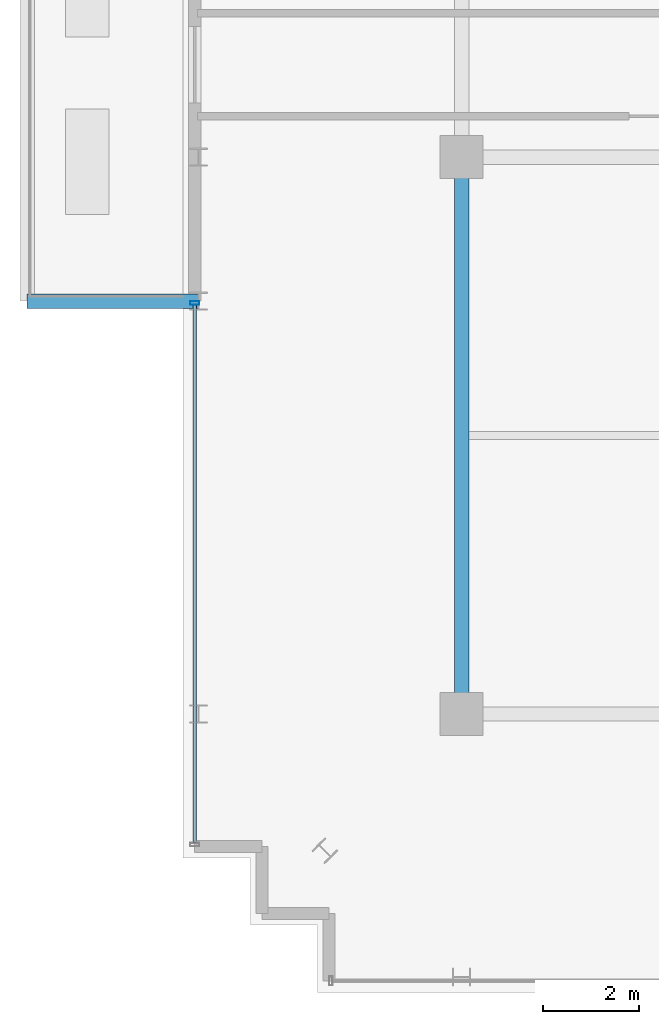
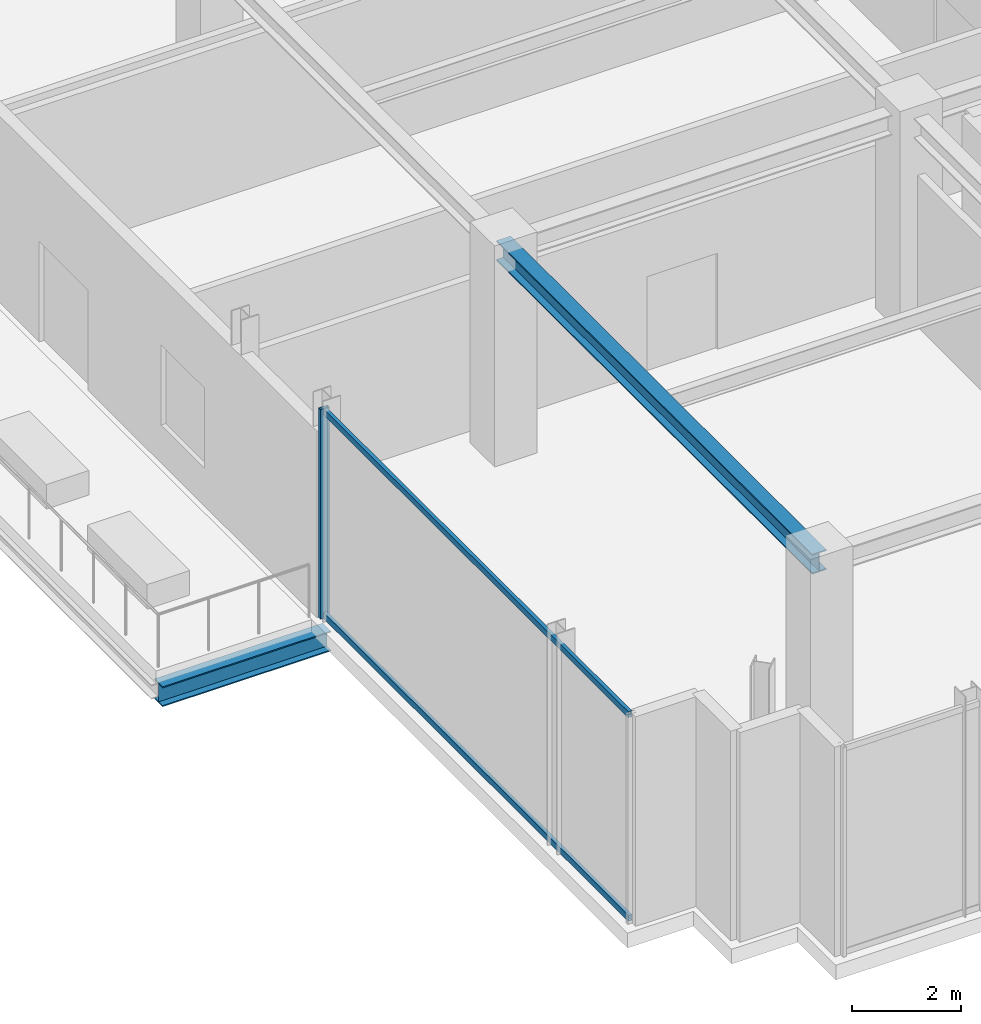
# One storey, part 5 of 28: 3 members, 2 beams, 1 element without a shape of its own.
"""IFC4 building model written with IfcOpenShell, lengths in metres."""

from ifc_helpers import new_model, si_unit, direction, frame, origin, origin_2d, place, context, subcontext, project, spatial, hollow_rectangle, i_section, extrude, source, transform, mapped, material, material_profile, profile_set, type_object, element, aggregate, save


model = new_model("IFC4")

# Units and contexts
model_context = context("Model", 3, precision=1e-05, world=origin(), true_north=direction((0.0, 1.0)))
body_context = subcontext(model_context, "Body", "Model", "MODEL_VIEW")
ifc_project = project(units=[si_unit("LENGTHUNIT", "METRE"), si_unit("AREAUNIT", "SQUARE_METRE"), si_unit("VOLUMEUNIT", "CUBIC_METRE"), si_unit("PLANEANGLEUNIT", "RADIAN"), si_unit("MASSUNIT", "GRAM", prefix="KILO")], contexts=[model_context])

# Site, building, storey
site_placement = place(None, origin())
site = spatial("IfcSite", under=ifc_project, at=site_placement, CompositionType="ELEMENT")
building_placement = place(site_placement, origin())
building = spatial("IfcBuilding", under=site, at=building_placement, Name="Nahalor Promenade Grand Hotel", CompositionType="ELEMENT")
storey_placement = place(building_placement, frame((0.0, 0.0, 352.050048828125)))
storey = spatial("IfcBuildingStorey", under=building, at=storey_placement, Name="L90", CompositionType="ELEMENT", Elevation=352.050048828125)

# Beams
ifc_material_1 = material(Name="Steel S355JR", Category="steel")
ifc_material_profile_1 = material_profile(ifc_material_1, i_section(OverallWidth=0.3, OverallDepth=0.45, WebThickness=0.014, FlangeThickness=0.026, at=origin_2d()), Name="HEB 450")
ifc_profile_set_1 = profile_set([ifc_material_profile_1], Name="Steel S355JR")
beam_type_1 = type_object("IfcBeamType", Name="Beam-Outrigger-HEB450", PredefinedType="BEAM", material=ifc_profile_set_1)
shared_shape_1 = source(origin(), body_context, "Body", "SweptSolid", [
    extrude(i_section(OverallWidth=0.3, OverallDepth=0.45, WebThickness=0.014, FlangeThickness=0.026, at=origin_2d()), origin(), (0.0, 0.0, 1.0), 3.570068359375),
])
beam_1_placement = place(storey_placement, frame((-26.050048828125, -8.39990234375, -0.505126953125), z_axis=(1.0, 0.0, 0.0), x_axis=(0.0, 1.0, 0.0)))
element("IfcBeam", 1, at=beam_1_placement, inside=storey, type_object=beam_type_1, Name="BM-L90-BELV-1", PredefinedType="BEAM", context=body_context, shape_type="MappedRepresentation", body=[
    mapped(shared_shape_1, transform((0.0, 0.0, 0.0), scale=1.0)),
])
ifc_material_profile_2 = material_profile(ifc_material_1, i_section(OverallWidth=0.3, OverallDepth=0.45, WebThickness=0.014, FlangeThickness=0.026, at=origin_2d()), Name="HEB 450")
ifc_profile_set_2 = profile_set([ifc_material_profile_2], Name="Steel S355JR")
beam_type_2 = type_object("IfcBeamType", Name="Beam-Girder-HEB450", PredefinedType="BEAM", material=ifc_profile_set_2)
shared_shape_2 = source(origin(), body_context, "Body", "SweptSolid", [
    extrude(i_section(OverallWidth=0.3, OverallDepth=0.45, WebThickness=0.014, FlangeThickness=0.026, at=origin_2d()), origin(), (0.0, 0.0, 1.0), 11.60009765625),
])
beam_2_placement = place(storey_placement, frame((-17.0, -17.0, 4.474853515625), z_axis=(0.0, 1.0, 0.0), x_axis=(-1.0, 0.0, 0.0)))
element("IfcBeam", 2, at=beam_2_placement, inside=storey, type_object=beam_type_2, Name="BM-L90-GY-0-0", PredefinedType="BEAM", context=body_context, shape_type="MappedRepresentation", body=[
    mapped(shared_shape_2, transform((0.0, 0.0, 0.0), scale=1.0)),
])

# Curtain wall, members
ifc_material_2 = material(Name="Anodised Bronze Aluminium EN AW-6063 T6", Category="aluminium")
curtain_wall_type = type_object("IfcCurtainWallType", Name="CW6 Crown Botanical Conservatory Curtain Wall", PredefinedType="USERDEFINED", material=ifc_material_2)
curtain_wall_placement = place(storey_placement, origin())
curtain_wall = element("IfcCurtainWall", 3, at=curtain_wall_placement, inside=storey, type_object=curtain_wall_type, Name="L90 Curtain Wall CW-L90-W-1", ObjectType="UNITISED_CURTAIN_WALL", PredefinedType="USERDEFINED")
ifc_material_profile_3 = material_profile(ifc_material_2, hollow_rectangle(XDim=0.075, YDim=0.19, WallThickness=0.005, at=origin_2d()), Name="CWM 75x190x5")
ifc_profile_set_3 = profile_set([ifc_material_profile_3], Name="Anodised Bronze Aluminium EN AW-6063 T6")
member_type_1 = type_object("IfcMemberType", Name="CWM6 Conservatory Bronze Mullion 75x190", PredefinedType="MULLION", material=ifc_profile_set_3)
shared_shape_3 = source(origin(), body_context, "Body", "SweptSolid", [
    extrude(hollow_rectangle(XDim=0.075, YDim=0.19, WallThickness=0.005, at=origin_2d()), origin(), (0.0, 0.0, 1.0), 4.699951171875),
])
member_1_placement = place(storey_placement, frame((-22.56005859375, -8.4375, 0.0), z_axis=(0.0, 0.0, 1.0), x_axis=(0.0, 1.0, 0.0)))
member_1 = element("IfcMember", 4, at=member_1_placement, type_object=member_type_1, Name="CW-L90-W-1 Mullion 1", PredefinedType="MULLION", context=body_context, shape_type="MappedRepresentation", body=[
    mapped(shared_shape_3, transform((0.0, 0.0, 0.0), scale=1.0)),
])
ifc_material_profile_4 = material_profile(ifc_material_2, hollow_rectangle(XDim=0.075, YDim=0.135, WallThickness=0.004, at=origin_2d()), Name="CWT 75x135x4")
ifc_profile_set_4 = profile_set([ifc_material_profile_4], Name="Anodised Bronze Aluminium EN AW-6063 T6")
member_type_2 = type_object("IfcMemberType", Name="CWT6 Conservatory Transom 75x135", PredefinedType="USERDEFINED", material=ifc_profile_set_4)
shared_shape_4 = source(origin(), body_context, "Body", "SweptSolid", [
    extrude(hollow_rectangle(XDim=0.075, YDim=0.135, WallThickness=0.004, at=origin_2d()), origin(), (0.0, 0.0, 1.0), 11.2099609375),
])
member_2_placement = place(storey_placement, frame((-22.56005859375, -19.68505859375, 0.0673828125), z_axis=(0.0, 1.0, 0.0), x_axis=(-1.0, 0.0, 0.0)))
member_2 = element("IfcMember", 5, at=member_2_placement, type_object=member_type_2, Name="CW-L90-W-1 Transom 0-0", ObjectType="TRANSOM", PredefinedType="USERDEFINED", context=body_context, shape_type="MappedRepresentation", body=[
    mapped(shared_shape_4, transform((0.0, 0.0, 0.0), scale=1.0)),
])
member_3_placement = place(storey_placement, frame((-22.56005859375, -19.68505859375, 4.632568359375), z_axis=(0.0, 1.0, 0.0), x_axis=(-1.0, 0.0, 0.0)))
member_3 = element("IfcMember", 6, at=member_3_placement, type_object=member_type_2, Name="CW-L90-W-1 Transom 0-1", ObjectType="TRANSOM", PredefinedType="USERDEFINED", context=body_context, shape_type="MappedRepresentation", body=[
    mapped(shared_shape_4, transform((0.0, 0.0, 0.0), scale=1.0)),
])
aggregate(curtain_wall, [member_1, member_2, member_3])

save(model, "model.ifc")
